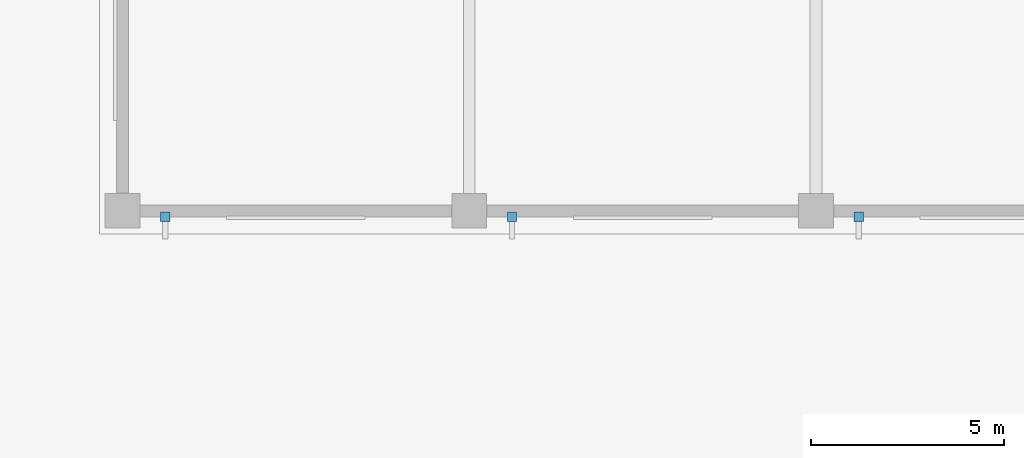
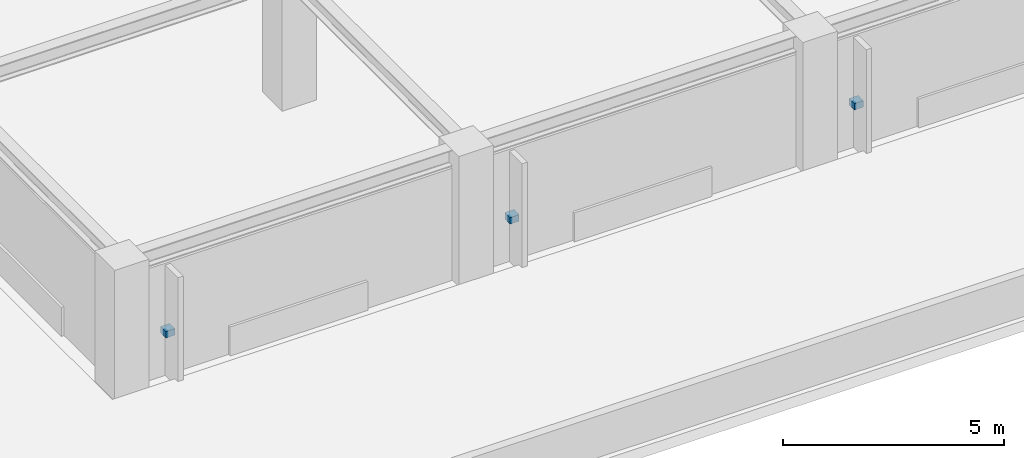
# One storey, part 29 of 34: 3 discrete accessories.
"""IFC4 building model written with IfcOpenShell, lengths in metres."""

import ifcopenshell
import ifcopenshell.guid

model = None  # the IFC model being written
_history = None  # IfcOwnerHistory: only IFC2X3 demands one
_inside = {}  # id of a spatial element -> (the spatial element, [elements in it])
_under = {}  # id of a project, library or spatial element -> (it, [spatial elements below it])
_declared = {}  # id of a project -> (the project, [libraries it declares])
_typed = {}  # id of a type object -> (the type object, [elements of that type])
_made_of = {}  # id of a material, layer set ... -> (it, [elements and type objects made of it])


def new_model(schema):
    """Start an empty IFC model of exactly this schema.

    Asked for "IFC4X3", IfcOpenShell would pick the latest addendum, in which some entities
    have other attributes; the version numbers below select the first issue.
    IFC2X3 requires an IfcOwnerHistory on every rooted entity: one is made here for all.
    """
    global model, _history
    if schema == "IFC4X3":
        model = ifcopenshell.file(schema_version=(4, 3, 0, 0))
    else:
        model = ifcopenshell.file(schema=schema)
    _inside.clear()
    _under.clear()
    _declared.clear()
    _typed.clear()
    _made_of.clear()
    _history = None
    if model.schema == "IFC2X3":
        org = make("IfcOrganization", Name="unknown")
        user = make(
            "IfcPersonAndOrganization",
            ThePerson=make("IfcPerson", FamilyName="unknown"),
            TheOrganization=org,
        )
        app = make(
            "IfcApplication",
            ApplicationDeveloper=org,
            Version="unknown",
            ApplicationFullName="unknown",
            ApplicationIdentifier="unknown",
        )
        _history = make(
            "IfcOwnerHistory",
            OwningUser=user,
            OwningApplication=app,
            ChangeAction="ADDED",
            CreationDate=0,
        )
    return model


def make(cls, **values):
    """One entity of the class cls with the attributes given. An attribute that is None is left unset."""
    return model.create_entity(
        cls, **{name: value for name, value in values.items() if value is not None}
    )


def rooted(cls, **values):
    """An entity with a GlobalId (a new one), such as an element, a storey or a relation."""
    return make(cls, GlobalId=ifcopenshell.guid.new(), OwnerHistory=_history, **values)


def si_unit(unit_type, name, prefix=None):
    """IfcSIUnit, for example si_unit("LENGTHUNIT", "METRE", prefix="MILLI")."""
    return make("IfcSIUnit", UnitType=unit_type, Prefix=prefix, Name=name)


def assignment(units):
    """IfcUnitAssignment: the units of a project."""
    return None if units is None else make("IfcUnitAssignment", Units=units)


def point(xyz):
    """IfcCartesianPoint."""
    return None if xyz is None else make("IfcCartesianPoint", Coordinates=xyz)


def direction(xyz):
    """IfcDirection."""
    return None if xyz is None else make("IfcDirection", DirectionRatios=xyz)


def frame(location, z_axis=None, x_axis=None):
    """IfcAxis2Placement3D, a coordinate frame: its origin and axes. An axis left out is left unset."""
    return make(
        "IfcAxis2Placement3D",
        Location=point(location),
        Axis=direction(z_axis),
        RefDirection=direction(x_axis),
    )


def frame_2d(location, x_axis=None):
    """IfcAxis2Placement2D, a coordinate frame in the plane: its origin and x axis."""
    return make(
        "IfcAxis2Placement2D", Location=point(location), RefDirection=direction(x_axis)
    )


def origin():
    """The frame at (0, 0, 0) with its axes left unset."""
    return frame((0.0, 0.0, 0.0))


def origin_2d():
    """The frame at (0, 0) in the plane with its x axis left unset."""
    return frame_2d((0.0, 0.0))


def place(relative_to, where):
    """IfcLocalPlacement: puts the frame where relative to a parent placement (None: the world)."""
    return make(
        "IfcLocalPlacement", PlacementRelTo=relative_to, RelativePlacement=where
    )


def context(
    kind, dimensions, precision=None, world=None, true_north=None, identifier=None
):
    """IfcGeometricRepresentationContext, for example the 3D "Model" context."""
    return make(
        "IfcGeometricRepresentationContext",
        ContextIdentifier=identifier,
        ContextType=kind,
        CoordinateSpaceDimension=dimensions,
        Precision=precision,
        WorldCoordinateSystem=world,
        TrueNorth=true_north,
    )


def subcontext(parent, identifier, kind, view, scale=None):
    """IfcGeometricRepresentationSubContext, for example "Body" below "Model"."""
    return make(
        "IfcGeometricRepresentationSubContext",
        ContextIdentifier=identifier,
        ContextType=kind,
        ParentContext=parent,
        TargetScale=scale,
        TargetView=view,
    )


def project(units=None, contexts=None):
    """IfcProject with its units and contexts."""
    return rooted(
        "IfcProject",
        Name="project",
        RepresentationContexts=contexts,
        UnitsInContext=assignment(units),
    )


def spatial(cls, under=None, at=None, **own):
    """A site, building, storey or space (cls), placed at a placement, below another one or the project."""
    s = rooted(cls, ObjectPlacement=at, **own)
    if under is not None:
        _under.setdefault(under.id(), (under, []))[1].append(s)
    return s


def profile(cls, at=None, kind="AREA", **sizes):
    """A parametric profile (cls). Its sizes go by their IFC names, for example OverallWidth=200.0."""
    return make(cls, ProfileType=kind, Position=at, **sizes)


def rectangle(**sizes):
    """IfcRectangleProfileDef."""
    return profile("IfcRectangleProfileDef", **sizes)


def extrude(swept, where, along, depth):
    """IfcExtrudedAreaSolid: the profile swept, set in the frame where, extruded along a direction by depth."""
    return make(
        "IfcExtrudedAreaSolid",
        SweptArea=swept,
        Position=where,
        ExtrudedDirection=direction(along),
        Depth=depth,
    )


def shape(context_of_items, identifier, shape_type, items):
    """IfcShapeRepresentation: the items that make up one representation, for example the "Body"."""
    return make(
        "IfcShapeRepresentation",
        ContextOfItems=context_of_items,
        RepresentationIdentifier=identifier,
        RepresentationType=shape_type,
        Items=items,
    )


def material(Name=None, Category=None):
    """IfcMaterial."""
    return make("IfcMaterial", Name=Name, Category=Category)


def layer(
    of_material, thickness, ventilated=None, Name=None, Category=None, Priority=None
):
    """IfcMaterialLayer: one layer of a wall or slab, of a material (None: an air gap)."""
    return make(
        "IfcMaterialLayer",
        Material=of_material,
        LayerThickness=thickness,
        IsVentilated=ventilated,
        Name=Name,
        Category=Category,
        Priority=Priority,
    )


def layer_set(layers, Name=None):
    """IfcMaterialLayerSet."""
    return make("IfcMaterialLayerSet", MaterialLayers=layers, LayerSetName=Name)


def made_of(thing, what):
    """Note that an element or type object is made of a material, layer set ...; save() writes the relation."""
    if what is not None:
        _made_of.setdefault(what.id(), (what, []))[1].append(thing)
    return thing


def type_object(cls, material=None, **own):
    """A type object (cls), such as IfcWallType, which elements share."""
    return made_of(rooted(cls, **own), material)


def element(
    cls,
    number,
    at=None,
    inside=None,
    cuts=None,
    type_object=None,
    material=None,
    context=None,
    identifier="Body",
    shape_type=None,
    held_by="IfcProductDefinitionShape",
    body=None,
    shapes=None,
    **own,
):
    """One element of the class cls, such as IfcWall. Its Tag is "e" and its number.

    at: its placement. inside: the storey or other place that contains it. cuts: it is an
    opening in that element (IfcRelVoidsElement). A single representation is given by context,
    identifier, shape_type and body (its items); several are given by shapes. held_by: the class
    of the entity that holds the representations. save() writes the other relations.
    """
    e = rooted(cls, Tag="e%d" % number, ObjectPlacement=at, **own)
    if body is not None:
        shapes = [shape(context, identifier, shape_type, body)]
    if shapes is not None:
        e.Representation = make(held_by, Representations=shapes)
    if inside is not None:
        _inside.setdefault(inside.id(), (inside, []))[1].append(e)
    if cuts is not None:
        rooted(
            "IfcRelVoidsElement", RelatingBuildingElement=cuts, RelatedOpeningElement=e
        )
    if type_object is not None:
        _typed.setdefault(type_object.id(), (type_object, []))[1].append(e)
    return made_of(e, material)


def aggregate(whole, parts):
    """IfcRelAggregates: a whole, such as a stair, and the parts it consists of."""
    return rooted("IfcRelAggregates", RelatingObject=whole, RelatedObjects=parts)


def save(model, path):
    """Write the relations noted so far, then the file.

    IfcRelAggregates (storeys below a building ...), IfcRelContainedInSpatialStructure (elements
    in a storey), IfcRelDefinesByType, IfcRelAssociatesMaterial and IfcRelDeclares: one each for
    every whole, place, type object, material and project.
    """
    for whole, parts in _under.values():
        aggregate(whole, parts)
    for where, things in _inside.values():
        rooted(
            "IfcRelContainedInSpatialStructure",
            RelatedElements=things,
            RelatingStructure=where,
        )
    for kind, things in _typed.values():
        rooted("IfcRelDefinesByType", RelatedObjects=things, RelatingType=kind)
    for what, things in _made_of.values():
        rooted("IfcRelAssociatesMaterial", RelatedObjects=things, RelatingMaterial=what)
    for by, libraries in _declared.values():
        rooted("IfcRelDeclares", RelatingContext=by, RelatedDefinitions=libraries)
    model.write(path)


model = new_model("IFC4")

# Units and contexts
model_context = context("Model", 3, precision=1e-05, world=origin(), true_north=direction((0.0, 1.0)))
body_context = subcontext(model_context, "Body", "Model", "MODEL_VIEW")
ifc_project = project(units=[si_unit("LENGTHUNIT", "METRE"), si_unit("AREAUNIT", "SQUARE_METRE"), si_unit("VOLUMEUNIT", "CUBIC_METRE"), si_unit("PLANEANGLEUNIT", "RADIAN"), si_unit("MASSUNIT", "GRAM", prefix="KILO")], contexts=[model_context])

# Site, building, storey
site_placement = place(None, origin())
site = spatial("IfcSite", under=ifc_project, at=site_placement, CompositionType="ELEMENT")
building_placement = place(site_placement, origin())
building = spatial("IfcBuilding", under=site, at=building_placement, Name="Zaverband Oceanarium and Marine Research Institute", CompositionType="ELEMENT")
storey_placement = place(building_placement, frame((0.0, 0.0, 18.0)))
storey = spatial("IfcBuildingStorey", under=building, at=storey_placement, Name="L04", CompositionType="ELEMENT", Elevation=18.0)

# Discrete accessories
ifc_material = material(Name="Steel S355", Category="steel")
ifc_layer = layer(ifc_material, 0.179931640625, Name="Steel S355")
ifc_layer_set = layer_set([ifc_layer], Name="Steel S355")
discrete_accessory_type = type_object("IfcDiscreteAccessoryType", Name="BRK-STL-200", PredefinedType="BRACKET", material=ifc_layer_set)
for number, where, z_axis, x_axis, name in (
    (1, (136.110107421875, 7.844970703125, 1.1201171875), (0.0, 0.0, 1.0), (1.0, 0.0, 0.0), "Galvanized steel facade fin structural bracket BRK-STL-200"),
    (2, (145.110107421875, 7.844970703125, 1.1201171875), (0.0, 0.0, 1.0), (1.0, 0.0, 0.0), "Galvanized steel facade fin structural bracket BRK-STL-200"),
    (3, (154.110107421875, 7.844970703125, 1.1201171875), (0.0, 0.0, 1.0), (1.0, 0.0, 0.0), "Galvanized steel facade fin structural bracket BRK-STL-200"),
):
    element("IfcDiscreteAccessory", number, at=place(storey_placement, frame(where, z_axis=z_axis, x_axis=x_axis)), inside=storey, type_object=discrete_accessory_type, Name=name, PredefinedType="BRACKET", context=body_context, shape_type="SweptSolid", body=[
        extrude(rectangle(XDim=0.239990234375, YDim=0.239990234375, at=origin_2d()), origin(), (0.0, 0.0, 1.0), 0.179931640625),
    ])

save(model, "model.ifc")
